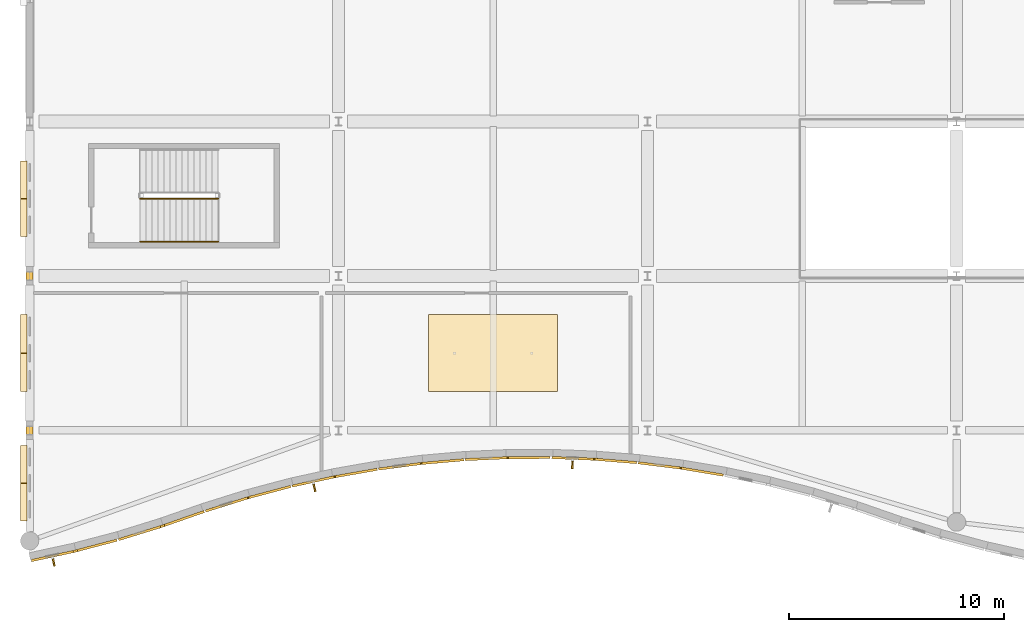
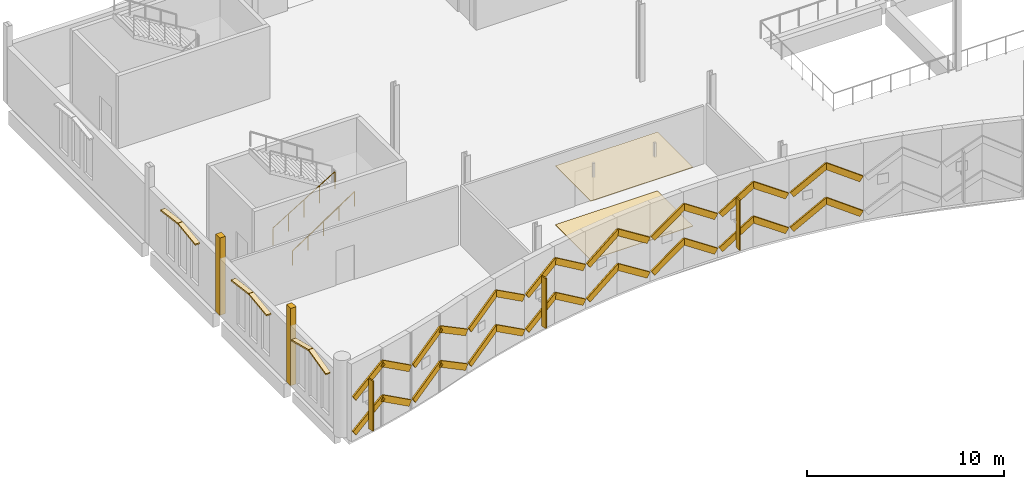
# One storey, part 193 of 220: 42 coverings, 3 shading devices, 2 railings.
"""IFC4 building model written with IfcOpenShell, lengths in metres."""

from ifc_helpers import new_model, si_unit, direction, frame, origin, origin_2d, place, context, subcontext, project, spatial, polyline, rectangle, circle, outline, extrude, material, layer, layer_set, type_object, element, save


model = new_model("IFC4")

# Units and contexts
model_context = context("Model", 3, precision=1e-05, world=origin(), true_north=direction((0.0, 1.0)))
body_context = subcontext(model_context, "Body", "Model", "MODEL_VIEW")
ifc_project = project(units=[si_unit("LENGTHUNIT", "METRE"), si_unit("AREAUNIT", "SQUARE_METRE"), si_unit("VOLUMEUNIT", "CUBIC_METRE"), si_unit("PLANEANGLEUNIT", "RADIAN"), si_unit("MASSUNIT", "GRAM", prefix="KILO")], contexts=[model_context])

# Site, building, storey
site_placement = place(None, origin())
site = spatial("IfcSite", under=ifc_project, at=site_placement, CompositionType="ELEMENT")
building_placement = place(site_placement, origin())
building = spatial("IfcBuilding", under=site, at=building_placement, Name="Cendralis Lancet Convention Centre", CompositionType="ELEMENT")
storey_placement = place(building_placement, frame((0.0, 0.0, 5.39990234375)))
storey = spatial("IfcBuildingStorey", under=building, at=storey_placement, Name="L01", CompositionType="ELEMENT", Elevation=5.39990234375)

# Coverings
ifc_material_1 = material(Name="Warm buff sandstone chevron cassette", Category="masonry")
ifc_layer_1 = layer(ifc_material_1, 0.06005859375, Name="Warm buff sandstone chevron cassette")
ifc_layer_set_1 = layer_set([ifc_layer_1], Name="Warm buff sandstone chevron cassette")
covering_type_1 = type_object("IfcCoveringType", Name="ARC-CV-CLAD1", PredefinedType="CLADDING", material=ifc_layer_set_1)
covering_1_placement = place(storey_placement, frame((0.09521484375, 1.074462890625, 0.650146484375), z_axis=(-0.534264422169, -0.115352545696, 0.837409886141), x_axis=(0.818477390055, 0.177059631031, 0.546575382749)))
element("IfcCovering", 1, at=covering_1_placement, inside=storey, type_object=covering_type_1, Name="L01 Diagonal Stone Chevron Relief CL-ST1 #0001", PredefinedType="CLADDING", context=body_context, shape_type="SweptSolid", body=[
    extrude(outline(polyline([(0.0, 0.0), (2.3785352746506123, -5.095750210681871e-18), (2.3785721119549623, 0.10989717826507894), (3.683730435013327e-05, 0.10989717826507893), (0.0, 0.0)])), origin(), (0.0, 0.0, -1.0), 0.360107421875),
])
covering_2_placement = place(storey_placement, frame((2.130859375, 1.516845703125, 1.9501953125), z_axis=(0.524606171224, 0.137927454891, 0.84009784091), x_axis=(0.81262432803, 0.213087239418, -0.54243481626)))
element("IfcCovering", 2, at=covering_2_placement, inside=storey, type_object=covering_type_1, Name="L01 Diagonal Stone Chevron Relief CL-ST1 #0007", PredefinedType="CLADDING", context=body_context, shape_type="SweptSolid", body=[
    extrude(outline(polyline([(0.0, 0.0), (2.3968165992358967, -1.533603972980746e-16), (2.396631333470113, 0.10984953104359214), (6.51520973630644e-05, 0.11002370531413276), (0.0, 0.0)])), origin(), (0.0, 0.0, -1.0), 0.360107421875),
])
covering_3_placement = place(storey_placement, frame((4.16650390625, 2.052734375, 0.650146484375), z_axis=(-0.513116687183, -0.159304831951, 0.843405736198), x_axis=(0.805718133303, 0.249302453814, 0.537277001359)))
element("IfcCovering", 3, at=covering_3_placement, inside=storey, type_object=covering_type_1, Name="L01 Diagonal Stone Chevron Relief CL-ST1 #0013", PredefinedType="CLADDING", context=body_context, shape_type="SweptSolid", body=[
    extrude(outline(polyline([(0.0, 0.0), (2.419797707072139, 7.686993402922226e-17), (2.419610652696563, 0.10995963308373377), (9.654153062380044e-06, 0.10988740311742318), (0.0, 0.0)])), origin(), (0.0, 0.0, -1.0), 0.360107421875),
])
covering_4_placement = place(storey_placement, frame((6.200927734375, 2.683837890625, 1.9501953125), z_axis=(0.503400481983, 0.174890308294, 0.846168620787), x_axis=(0.799122559196, 0.278216745719, -0.532915169408)))
element("IfcCovering", 4, at=covering_4_placement, inside=storey, type_object=covering_type_1, Name="L01 Diagonal Stone Chevron Relief CL-ST1 #0019", PredefinedType="CLADDING", context=body_context, shape_type="SweptSolid", body=[
    extrude(outline(polyline([(0.0, 0.0), (2.439504264008427, 3.7513395167998453e-17), (2.439565346751399, 0.11010172080089158), (6.10827429723855e-05, 0.11010172080089148), (0.0, 0.0)])), origin(), (0.0, 0.0, -1.0), 0.360107421875),
])
covering_5_placement = place(storey_placement, frame((8.218505859375, 3.385009765625, 0.650146484375), z_axis=(-0.512432144348, -0.160879859272, 0.843522950678), x_axis=(0.804983924834, 0.252055485297, 0.537093020892)))
element("IfcCovering", 5, at=covering_5_placement, inside=storey, type_object=covering_type_1, Name="L01 Diagonal Stone Chevron Relief CL-ST1 #0025", PredefinedType="CLADDING", context=body_context, shape_type="SweptSolid", body=[
    extrude(outline(polyline([(0.0, 0.0), (2.4205282466077915, -1.0072238182390336e-16), (2.420457697004613, 0.11003267011553743), (-7.054960317889533e-05, 0.11003267011553755), (0.0, 0.0)])), origin(), (0.0, 0.0, -1.0), 0.360107421875),
])
covering_6_placement = place(storey_placement, frame((10.232666015625, 4.01416015625, 1.9501953125), z_axis=(0.524033667358, 0.138820845367, 0.840307972334), x_axis=(0.812149151955, 0.215711222203, -0.542109235851)))
element("IfcCovering", 6, at=covering_6_placement, inside=storey, type_object=covering_type_1, Name="L01 Diagonal Stone Chevron Relief CL-ST1 #0031", PredefinedType="CLADDING", context=body_context, shape_type="SweptSolid", body=[
    extrude(outline(polyline([(0.0, 0.0), (2.398229906017896, -1.7564075194265172e-17), (2.3981910366950805, 0.11014825940735083), (0.00015940927873638391, 0.11008563247323438), (0.0, 0.0)])), origin(), (0.0, 0.0, -1.0), 0.360107421875),
])
covering_7_placement = place(storey_placement, frame((12.246826171875, 4.5478515625, 0.650146484375), z_axis=(-0.533420798181, -0.116988879601, 0.837720630113), x_axis=(0.81822789198, 0.179663528864, 0.546099014083)))
element("IfcCovering", 7, at=covering_7_placement, inside=storey, type_object=covering_type_1, Name="L01 Diagonal Stone Chevron Relief CL-ST1 #0037", PredefinedType="CLADDING", context=body_context, shape_type="SweptSolid", body=[
    extrude(outline(polyline([(0.0, 0.0), (2.380709986003062, 9.0015885370609e-17), (2.3806328002555412, 0.11000122332785592), (0.00012257692141973142, 0.10994888071154302), (0.0, 0.0)])), origin(), (0.0, 0.0, -1.0), 0.360107421875),
])
covering_8_placement = place(storey_placement, frame((14.26220703125, 4.989013671875, 1.9501953125), z_axis=(0.54132887114, 0.095205528633, 0.835403471736), x_axis=(0.822864596365, 0.144197422804, -0.549637116019)))
element("IfcCovering", 8, at=covering_8_placement, inside=storey, type_object=covering_type_1, Name="L01 Diagonal Stone Chevron Relief CL-ST1 #0043", PredefinedType="CLADDING", context=body_context, shape_type="SweptSolid", body=[
    extrude(outline(polyline([(0.0, 0.0), (2.365268067548942, 1.588356182691264e-17), (2.365229058078382, 0.11005841291991537), (-7.4213919486487e-05, 0.10981794456539315), (0.0, 0.0)])), origin(), (0.0, 0.0, -1.0), 0.360107421875),
])
covering_9_placement = place(storey_placement, frame((16.276123046875, 5.340576171875, 0.650146484375), z_axis=(-0.547501786097, -0.072346260649, 0.833671285814), x_axis=(0.826583035916, 0.108482543318, 0.552260828351)))
element("IfcCovering", 9, at=covering_9_placement, inside=storey, type_object=covering_type_1, Name="L01 Diagonal Stone Chevron Relief CL-ST1 #0049", PredefinedType="CLADDING", context=body_context, shape_type="SweptSolid", body=[
    extrude(outline(polyline([(0.0, 0.0), (2.3540352655105607, 1.0191500421363742e-17), (2.353967711248907, 0.11007735277893672), (-9.403925758104219e-05, 0.1098352965454656), (0.0, 0.0)])), origin(), (0.0, 0.0, -1.0), 0.360107421875),
])
covering_10_placement = place(storey_placement, frame((18.290283203125, 5.603515625, 1.9501953125), z_axis=(0.551959934038, 0.049172377197, 0.83241955079), x_axis=(0.829189448705, 0.07326171836, -0.554145810035)))
element("IfcCovering", 10, at=covering_10_placement, inside=storey, type_object=covering_type_1, Name="L01 Diagonal Stone Chevron Relief CL-ST1 #0055", PredefinedType="CLADDING", context=body_context, shape_type="SweptSolid", body=[
    extrude(outline(polyline([(0.0, 0.0), (2.3460410682233244, -1.4040418133687282e-17), (2.345974401620591, 0.11005325519296659), (-6.666660273303357e-05, 0.11005325519296662), (0.0, 0.0)])), origin(), (0.0, 0.0, -1.0), 0.360107421875),
])
covering_11_placement = place(storey_placement, frame((20.303955078125, 5.780029296875, 0.650146484375), z_axis=(-0.554551451117, -0.024646731161, 0.831784363105), x_axis=(0.830928034886, 0.037736287621, 0.55509870603)))
element("IfcCovering", 11, at=covering_11_placement, inside=storey, type_object=covering_type_1, Name="L01 Diagonal Stone Chevron Relief CL-ST1 #0061", PredefinedType="CLADDING", context=body_context, shape_type="SweptSolid", body=[
    extrude(outline(polyline([(0.0, 0.0), (2.3420137968284065, -2.168404344971009e-19), (2.3421023634133253, 0.10997169899972807), (8.856658491903681e-05, 0.10997169899972807), (0.0, 0.0)])), origin(), (0.0, 0.0, -1.0), 0.360107421875),
])
covering_12_placement = place(storey_placement, frame((22.319091796875, 5.8701171875, 1.9501953125), z_axis=(0.555705344938, 0.001848243941, 0.831377263101), x_axis=(0.83137100905, 0.003235303625, -0.555708357074)))
element("IfcCovering", 12, at=covering_12_placement, inside=storey, type_object=covering_type_1, Name="L01 Diagonal Stone Chevron Relief CL-ST1 #0067", PredefinedType="CLADDING", context=body_context, shape_type="SweptSolid", body=[
    extrude(outline(polyline([(0.0, 0.0), (2.339342957500622, -2.4936649967166602e-18), (2.3394962170040134, 0.11010756498317643), (-4.971193436520963e-05, 0.11010847241542183), (0.0, 0.0)])), origin(), (0.0, 0.0, -1.0), 0.360107421875),
])
covering_13_placement = place(storey_placement, frame((24.33251953125, 5.876708984375, 0.650146484375), z_axis=(-0.554951138178, 0.022198045527, 0.831586724888), x_axis=(0.830953976238, -0.032437139025, 0.555394743751)))
element("IfcCovering", 13, at=covering_13_placement, inside=storey, type_object=covering_type_1, Name="L01 Diagonal Stone Chevron Relief CL-ST1 #0073", PredefinedType="CLADDING", context=body_context, shape_type="SweptSolid", body=[
    extrude(outline(polyline([(0.0, 0.0), (2.3407654515132994, -1.1384122811097797e-17), (2.34085345420157, 0.10995110152904647), (8.80026882704439e-05, 0.10995110152904647), (0.0, 0.0)])), origin(), (0.0, 0.0, -1.0), 0.360107421875),
])
covering_14_placement = place(storey_placement, frame((26.346435546875, 5.796630859375, 1.9501953125), z_axis=(0.552585910248, -0.0449206809, 0.832244521894), x_axis=(0.829531137525, -0.067149540696, -0.554408722029)))
element("IfcCovering", 14, at=covering_14_placement, inside=storey, type_object=covering_type_1, Name="L01 Diagonal Stone Chevron Relief CL-ST1 #0079", PredefinedType="CLADDING", context=body_context, shape_type="SweptSolid", body=[
    extrude(outline(polyline([(0.0, 0.0), (2.3450297857293902, -4.174178364069192e-18), (2.3449597117983223, 0.10997087864770992), (0.00013244831930383193, 0.10999060258684137), (0.0, 0.0)])), origin(), (0.0, 0.0, -1.0), 0.360107421875),
])
covering_15_placement = place(storey_placement, frame((28.360107421875, 5.632080078125, 0.650146484375), z_axis=(-0.548525685574, 0.067491974735, 0.833405306926), x_axis=(0.827073125683, -0.10254087692, 0.552662114979)))
element("IfcCovering", 15, at=covering_15_placement, inside=storey, type_object=covering_type_1, Name="L01 Diagonal Stone Chevron Relief CL-ST1 #0085", PredefinedType="CLADDING", context=body_context, shape_type="SweptSolid", body=[
    extrude(outline(polyline([(0.0, 0.0), (2.3523393279369476, 3.686287386450715e-17), (2.3522546721579833, 0.10995381463037417), (-8.46557789641808e-05, 0.10995381463037412), (0.0, 0.0)])), origin(), (0.0, 0.0, -1.0), 0.360107421875),
])
covering_16_placement = place(storey_placement, frame((30.373779296875, 5.381103515625, 1.9501953125), z_axis=(0.542412257957, -0.090910490929, 0.835179157461), x_axis=(0.823717737844, -0.137888802607, -0.549977969084)))
element("IfcCovering", 16, at=covering_16_placement, inside=storey, type_object=covering_type_1, Name="L01 Diagonal Stone Chevron Relief CL-ST1 #0091", PredefinedType="CLADDING", context=body_context, shape_type="SweptSolid", body=[
    extrude(outline(polyline([(0.0, 0.0), (2.363736131873474, 4.50079426853045e-17), (2.36383825911422, 0.11017473594647724), (-6.531146414592501e-05, 0.10989362576594278), (0.0, 0.0)])), origin(), (0.0, 0.0, -1.0), 0.360107421875),
])
for number, where, z_axis, x_axis, name in (
    (17, (-0.419921875, 2.97509765625, 3.27001953125), (0.0, -0.241261177091, 0.970460223002), (1.0, 0.0, 0.0), "L01 Gothic Pointed Lancet Hood-Mould #0251L"),
    (18, (-0.419921875, 4.7451171875, 3.705078125), (0.0, 0.241261177091, 0.970460223002), (1.0, 0.0, 0.0), "L01 Gothic Pointed Lancet Hood-Mould #0252R"),
):
    element("IfcCovering", number, at=place(storey_placement, frame(where, z_axis=z_axis, x_axis=x_axis)), inside=storey, type_object=covering_type_1, Name=name, PredefinedType="CLADDING", context=body_context, shape_type="SweptSolid", body=[
        extrude(outline(polyline([(0.0, 0.0), (0.284912109375, 0.0), (0.284912109375, 1.803268138684796), (0.0, 1.803268138684796), (0.0, 0.0)])), origin(), (0.0, 0.0, -1.0), 0.090087890625),
    ])
for number, where, z_axis, x_axis, name in (
    (19, (-0.419921875, 9.0, 3.27001953125), (0.0, -0.130223638093, 0.991484646418), (1.0, 0.0, 0.0), "L01 Gothic Pointed Lancet Hood-Mould #0253L"),
    (20, (-0.419921875, 10.81005859375, 3.505126953125), (0.0, 0.130223638093, 0.991484646418), (1.0, 0.0, 0.0), "L01 Gothic Pointed Lancet Hood-Mould #0254R"),
):
    element("IfcCovering", number, at=place(storey_placement, frame(where, z_axis=z_axis, x_axis=x_axis)), inside=storey, type_object=covering_type_1, Name=name, PredefinedType="CLADDING", context=body_context, shape_type="SweptSolid", body=[
        extrude(outline(polyline([(0.0, 0.0), (0.284912109375, 0.0), (0.284912109375, 1.805412790775724), (0.0, 1.805412790775724), (0.0, 0.0)])), origin(), (0.0, 0.0, -1.0), 0.090087890625),
    ])
for number, where, z_axis, x_axis, name in (
    (21, (-0.419921875, 16.239990234375, 3.27001953125), (0.0, -0.133150842636, 0.991095784022), (1.0, 0.0, 0.0), "L01 Gothic Pointed Lancet Hood-Mould #0255L"),
    (22, (-0.419921875, 18.010009765625, 3.505126953125), (0.0, 0.133150842636, 0.991095784022), (1.0, 0.0, 0.0), "L01 Gothic Pointed Lancet Hood-Mould #0256R"),
):
    element("IfcCovering", number, at=place(storey_placement, frame(where, z_axis=z_axis, x_axis=x_axis)), inside=storey, type_object=covering_type_1, Name=name, PredefinedType="CLADDING", context=body_context, shape_type="SweptSolid", body=[
        extrude(outline(polyline([(0.0, 0.0), (0.284912109375, 0.0), (0.284912109375, 1.7657223733703749), (0.0, 1.7657223733703749), (0.0, 0.0)])), origin(), (0.0, 0.0, -1.0), 0.090087890625),
    ])
covering_17_placement = place(storey_placement, origin())
element("IfcCovering", 23, at=covering_17_placement, inside=storey, type_object=covering_type_1, Name="Exterior Column Stone Fire-Casing L01 #001", PredefinedType="CLADDING", context=body_context, shape_type="SweptSolid", body=[
    extrude(outline(polyline([(-0.162109375, 6.988037109375), (0.162109375, 6.988037109375), (0.162109375, 7.412109375), (-0.162109375, 7.412109375), (-0.162109375, 6.988037109375)])), origin(), (0.0, 0.0, 1.0), 4.800048828125),
])
covering_18_placement = place(storey_placement, origin())
element("IfcCovering", 24, at=covering_18_placement, inside=storey, type_object=covering_type_1, Name="Exterior Column Stone Fire-Casing L01 #002", PredefinedType="CLADDING", context=body_context, shape_type="SweptSolid", body=[
    extrude(outline(polyline([(-0.162109375, 14.18798828125), (0.162109375, 14.18798828125), (0.162109375, 14.612060546875), (-0.162109375, 14.612060546875), (-0.162109375, 14.18798828125)])), origin(), (0.0, 0.0, 1.0), 4.800048828125),
])
ifc_material_2 = material(Name="Dark Andean slate chevron cassette", Category="masonry")
ifc_layer_2 = layer(ifc_material_2, 0.06005859375, Name="Dark Andean slate chevron cassette")
ifc_layer_set_2 = layer_set([ifc_layer_2], Name="Dark Andean slate chevron cassette")
covering_type_2 = type_object("IfcCoveringType", Name="ARC-CV-CLAD2", PredefinedType="CLADDING", material=ifc_layer_set_2)
covering_19_placement = place(storey_placement, frame((0.09521484375, 1.074462890625, 2.800048828125), z_axis=(-0.534264422169, -0.115352545696, 0.837409886141), x_axis=(0.818477390055, 0.177059631031, 0.546575382749)))
element("IfcCovering", 25, at=covering_19_placement, inside=storey, type_object=covering_type_2, Name="L01 Diagonal Stone Chevron Relief CL-ST2 #0002", PredefinedType="CLADDING", context=body_context, shape_type="SweptSolid", body=[
    extrude(outline(polyline([(0.0, 0.0), (2.3785352746506123, -5.095750210681871e-18), (2.3785721119549623, 0.10989717826507894), (3.683730435013327e-05, 0.10989717826507893), (0.0, 0.0)])), origin(), (0.0, 0.0, -1.0), 0.360107421875),
])
covering_20_placement = place(storey_placement, frame((2.130859375, 1.516845703125, 4.10009765625), z_axis=(0.524606171224, 0.137927454891, 0.84009784091), x_axis=(0.81262432803, 0.213087239418, -0.54243481626)))
element("IfcCovering", 26, at=covering_20_placement, inside=storey, type_object=covering_type_2, Name="L01 Diagonal Stone Chevron Relief CL-ST2 #0008", PredefinedType="CLADDING", context=body_context, shape_type="SweptSolid", body=[
    extrude(outline(polyline([(0.0, 0.0), (2.3968165992358967, -1.533603972980746e-16), (2.396631333470113, 0.10984953104359214), (6.51520973630644e-05, 0.11002370531413276), (0.0, 0.0)])), origin(), (0.0, 0.0, -1.0), 0.360107421875),
])
covering_21_placement = place(storey_placement, frame((4.16650390625, 2.052734375, 2.800048828125), z_axis=(-0.513116687183, -0.159304831951, 0.843405736198), x_axis=(0.805718133303, 0.249302453814, 0.537277001359)))
element("IfcCovering", 27, at=covering_21_placement, inside=storey, type_object=covering_type_2, Name="L01 Diagonal Stone Chevron Relief CL-ST2 #0014", PredefinedType="CLADDING", context=body_context, shape_type="SweptSolid", body=[
    extrude(outline(polyline([(0.0, 0.0), (2.419797707072139, 7.686993402922226e-17), (2.419610652696563, 0.10995963308373377), (9.654153062380044e-06, 0.10988740311742318), (0.0, 0.0)])), origin(), (0.0, 0.0, -1.0), 0.360107421875),
])
covering_22_placement = place(storey_placement, frame((6.200927734375, 2.683837890625, 4.10009765625), z_axis=(0.503400481983, 0.174890308294, 0.846168620787), x_axis=(0.799122559196, 0.278216745719, -0.532915169408)))
element("IfcCovering", 28, at=covering_22_placement, inside=storey, type_object=covering_type_2, Name="L01 Diagonal Stone Chevron Relief CL-ST2 #0020", PredefinedType="CLADDING", context=body_context, shape_type="SweptSolid", body=[
    extrude(outline(polyline([(0.0, 0.0), (2.439504264008427, 3.7513395167998453e-17), (2.439565346751399, 0.11010172080089158), (6.10827429723855e-05, 0.11010172080089148), (0.0, 0.0)])), origin(), (0.0, 0.0, -1.0), 0.360107421875),
])
covering_23_placement = place(storey_placement, frame((8.218505859375, 3.385009765625, 2.800048828125), z_axis=(-0.512432144348, -0.160879859272, 0.843522950678), x_axis=(0.804983924834, 0.252055485297, 0.537093020892)))
element("IfcCovering", 29, at=covering_23_placement, inside=storey, type_object=covering_type_2, Name="L01 Diagonal Stone Chevron Relief CL-ST2 #0026", PredefinedType="CLADDING", context=body_context, shape_type="SweptSolid", body=[
    extrude(outline(polyline([(0.0, 0.0), (2.4205282466077915, -1.0072238182390336e-16), (2.420457697004613, 0.11003267011553743), (-7.054960317889533e-05, 0.11003267011553755), (0.0, 0.0)])), origin(), (0.0, 0.0, -1.0), 0.360107421875),
])
covering_24_placement = place(storey_placement, frame((10.232666015625, 4.01416015625, 4.10009765625), z_axis=(0.524033667358, 0.138820845367, 0.840307972334), x_axis=(0.812149151955, 0.215711222203, -0.542109235851)))
element("IfcCovering", 30, at=covering_24_placement, inside=storey, type_object=covering_type_2, Name="L01 Diagonal Stone Chevron Relief CL-ST2 #0032", PredefinedType="CLADDING", context=body_context, shape_type="SweptSolid", body=[
    extrude(outline(polyline([(0.0, 0.0), (2.398229906017896, -1.7564075194265172e-17), (2.3981910366950805, 0.11014825940735083), (0.00015940927873638391, 0.11008563247323438), (0.0, 0.0)])), origin(), (0.0, 0.0, -1.0), 0.360107421875),
])
covering_25_placement = place(storey_placement, frame((12.246826171875, 4.5478515625, 2.800048828125), z_axis=(-0.533420798181, -0.116988879601, 0.837720630113), x_axis=(0.81822789198, 0.179663528864, 0.546099014083)))
element("IfcCovering", 31, at=covering_25_placement, inside=storey, type_object=covering_type_2, Name="L01 Diagonal Stone Chevron Relief CL-ST2 #0038", PredefinedType="CLADDING", context=body_context, shape_type="SweptSolid", body=[
    extrude(outline(polyline([(0.0, 0.0), (2.380709986003062, 9.0015885370609e-17), (2.3806328002555412, 0.11000122332785592), (0.00012257692141973142, 0.10994888071154302), (0.0, 0.0)])), origin(), (0.0, 0.0, -1.0), 0.360107421875),
])
covering_26_placement = place(storey_placement, frame((14.26220703125, 4.989013671875, 4.10009765625), z_axis=(0.54132887114, 0.095205528633, 0.835403471736), x_axis=(0.822864596365, 0.144197422804, -0.549637116019)))
element("IfcCovering", 32, at=covering_26_placement, inside=storey, type_object=covering_type_2, Name="L01 Diagonal Stone Chevron Relief CL-ST2 #0044", PredefinedType="CLADDING", context=body_context, shape_type="SweptSolid", body=[
    extrude(outline(polyline([(0.0, 0.0), (2.365268067548942, 1.588356182691264e-17), (2.365229058078382, 0.11005841291991537), (-7.4213919486487e-05, 0.10981794456539315), (0.0, 0.0)])), origin(), (0.0, 0.0, -1.0), 0.360107421875),
])
covering_27_placement = place(storey_placement, frame((16.276123046875, 5.340576171875, 2.800048828125), z_axis=(-0.547501786097, -0.072346260649, 0.833671285814), x_axis=(0.826583035916, 0.108482543318, 0.552260828351)))
element("IfcCovering", 33, at=covering_27_placement, inside=storey, type_object=covering_type_2, Name="L01 Diagonal Stone Chevron Relief CL-ST2 #0050", PredefinedType="CLADDING", context=body_context, shape_type="SweptSolid", body=[
    extrude(outline(polyline([(0.0, 0.0), (2.3540352655105607, 1.0191500421363742e-17), (2.353967711248907, 0.11007735277893672), (-9.403925758104219e-05, 0.1098352965454656), (0.0, 0.0)])), origin(), (0.0, 0.0, -1.0), 0.360107421875),
])
covering_28_placement = place(storey_placement, frame((18.290283203125, 5.603515625, 4.10009765625), z_axis=(0.551959934038, 0.049172377197, 0.83241955079), x_axis=(0.829189448705, 0.07326171836, -0.554145810035)))
element("IfcCovering", 34, at=covering_28_placement, inside=storey, type_object=covering_type_2, Name="L01 Diagonal Stone Chevron Relief CL-ST2 #0056", PredefinedType="CLADDING", context=body_context, shape_type="SweptSolid", body=[
    extrude(outline(polyline([(0.0, 0.0), (2.3460410682233244, -1.4040418133687282e-17), (2.345974401620591, 0.11005325519296659), (-6.666660273303357e-05, 0.11005325519296662), (0.0, 0.0)])), origin(), (0.0, 0.0, -1.0), 0.360107421875),
])
covering_29_placement = place(storey_placement, frame((20.303955078125, 5.780029296875, 2.800048828125), z_axis=(-0.554551451117, -0.024646731161, 0.831784363105), x_axis=(0.830928034886, 0.037736287621, 0.55509870603)))
element("IfcCovering", 35, at=covering_29_placement, inside=storey, type_object=covering_type_2, Name="L01 Diagonal Stone Chevron Relief CL-ST2 #0062", PredefinedType="CLADDING", context=body_context, shape_type="SweptSolid", body=[
    extrude(outline(polyline([(0.0, 0.0), (2.3420137968284065, -2.168404344971009e-19), (2.3421023634133253, 0.10997169899972807), (8.856658491903681e-05, 0.10997169899972807), (0.0, 0.0)])), origin(), (0.0, 0.0, -1.0), 0.360107421875),
])
covering_30_placement = place(storey_placement, frame((22.319091796875, 5.8701171875, 4.10009765625), z_axis=(0.555705344938, 0.001848243941, 0.831377263101), x_axis=(0.83137100905, 0.003235303625, -0.555708357074)))
element("IfcCovering", 36, at=covering_30_placement, inside=storey, type_object=covering_type_2, Name="L01 Diagonal Stone Chevron Relief CL-ST2 #0068", PredefinedType="CLADDING", context=body_context, shape_type="SweptSolid", body=[
    extrude(outline(polyline([(0.0, 0.0), (2.339342957500622, -2.4936649967166602e-18), (2.3394962170040134, 0.11010756498317643), (-4.971193436520963e-05, 0.11010847241542183), (0.0, 0.0)])), origin(), (0.0, 0.0, -1.0), 0.360107421875),
])
covering_31_placement = place(storey_placement, frame((24.33251953125, 5.876708984375, 2.800048828125), z_axis=(-0.554951138178, 0.022198045527, 0.831586724888), x_axis=(0.830953976238, -0.032437139025, 0.555394743751)))
element("IfcCovering", 37, at=covering_31_placement, inside=storey, type_object=covering_type_2, Name="L01 Diagonal Stone Chevron Relief CL-ST2 #0074", PredefinedType="CLADDING", context=body_context, shape_type="SweptSolid", body=[
    extrude(outline(polyline([(0.0, 0.0), (2.3407654515132994, -1.1384122811097797e-17), (2.34085345420157, 0.10995110152904647), (8.80026882704439e-05, 0.10995110152904647), (0.0, 0.0)])), origin(), (0.0, 0.0, -1.0), 0.360107421875),
])
covering_32_placement = place(storey_placement, frame((26.346435546875, 5.796630859375, 4.10009765625), z_axis=(0.552585910248, -0.0449206809, 0.832244521894), x_axis=(0.829531137525, -0.067149540696, -0.554408722029)))
element("IfcCovering", 38, at=covering_32_placement, inside=storey, type_object=covering_type_2, Name="L01 Diagonal Stone Chevron Relief CL-ST2 #0080", PredefinedType="CLADDING", context=body_context, shape_type="SweptSolid", body=[
    extrude(outline(polyline([(0.0, 0.0), (2.3450297857293902, -4.174178364069192e-18), (2.3449597117983223, 0.10997087864770992), (0.00013244831930383193, 0.10999060258684137), (0.0, 0.0)])), origin(), (0.0, 0.0, -1.0), 0.360107421875),
])
covering_33_placement = place(storey_placement, frame((28.360107421875, 5.632080078125, 2.800048828125), z_axis=(-0.548525685574, 0.067491974735, 0.833405306926), x_axis=(0.827073125683, -0.10254087692, 0.552662114979)))
element("IfcCovering", 39, at=covering_33_placement, inside=storey, type_object=covering_type_2, Name="L01 Diagonal Stone Chevron Relief CL-ST2 #0086", PredefinedType="CLADDING", context=body_context, shape_type="SweptSolid", body=[
    extrude(outline(polyline([(0.0, 0.0), (2.3523393279369476, 3.686287386450715e-17), (2.3522546721579833, 0.10995381463037417), (-8.46557789641808e-05, 0.10995381463037412), (0.0, 0.0)])), origin(), (0.0, 0.0, -1.0), 0.360107421875),
])
covering_34_placement = place(storey_placement, frame((30.373779296875, 5.381103515625, 4.10009765625), z_axis=(0.542412257957, -0.090910490929, 0.835179157461), x_axis=(0.823717737844, -0.137888802607, -0.549977969084)))
element("IfcCovering", 40, at=covering_34_placement, inside=storey, type_object=covering_type_2, Name="L01 Diagonal Stone Chevron Relief CL-ST2 #0092", PredefinedType="CLADDING", context=body_context, shape_type="SweptSolid", body=[
    extrude(outline(polyline([(0.0, 0.0), (2.363736131873474, 4.50079426853045e-17), (2.36383825911422, 0.11017473594647724), (-6.531146414592501e-05, 0.10989362576594278), (0.0, 0.0)])), origin(), (0.0, 0.0, -1.0), 0.360107421875),
])
ifc_material_3 = material(Name="Perforated acoustic mineral-wood ceiling", Category="wood")
ifc_layer_3 = layer(ifc_material_3, 0.030029296875, Name="Perforated acoustic mineral-wood ceiling")
ifc_layer_set_3 = layer_set([ifc_layer_3], Name="Perforated acoustic mineral-wood ceiling")
covering_type_3 = type_object("IfcCoveringType", Name="ARC-CV-CLG1", PredefinedType="CEILING", material=ifc_layer_set_3)
covering_35_placement = place(storey_placement, frame((0.0, 0.0, 3.650146484375)))
element("IfcCovering", 41, at=covering_35_placement, inside=storey, type_object=covering_type_3, Name="L01 Acoustic Suspended Ceiling CL-ACS #05", PredefinedType="CEILING", context=body_context, shape_type="SweptSolid", body=[
    extrude(outline(polyline([(18.60009765625, 9.0), (24.60009765625, 9.0), (24.60009765625, 12.60009765625), (18.60009765625, 12.60009765625), (18.60009765625, 9.0)])), origin(), (0.0, 0.0, 1.0), 0.030029296875),
])
ifc_material_4 = material(Name="Polished Andean granite terrazzo flooring", Category="masonry")
ifc_layer_4 = layer(ifc_material_4, 0.030029296875, Name="Polished Andean granite terrazzo flooring")
ifc_layer_set_4 = layer_set([ifc_layer_4], Name="Polished Andean granite terrazzo flooring")
covering_type_4 = type_object("IfcCoveringType", Name="ARC-CV-FLR1", PredefinedType="FLOORING", material=ifc_layer_set_4)
covering_36_placement = place(storey_placement, origin())
element("IfcCovering", 42, at=covering_36_placement, inside=storey, type_object=covering_type_4, Name="L01 Terrazzo Concourse Flooring FL-TRZ #05", PredefinedType="FLOORING", context=body_context, shape_type="SweptSolid", body=[
    extrude(outline(polyline([(18.60009765625, 9.0), (24.60009765625, 9.0), (24.60009765625, 12.60009765625), (18.60009765625, 12.60009765625), (18.60009765625, 9.0)])), origin(), (0.0, 0.0, 1.0), 0.030029296875),
])

# Railings
ifc_material_5 = material(Name="Steel S355", Category="steel")
railing_type_1 = type_object("IfcRailingType", Name="ARC-RL-CGD", PredefinedType="GUARDRAIL", material=ifc_material_5)
railing_1_placement = place(storey_placement, frame((5.14990234375, 18.0, 0.171630859375)))
element("IfcRailing", 43, at=railing_1_placement, inside=storey, type_object=railing_type_1, Name="L01 ST-17 stair guard 1", PredefinedType="GUARDRAIL", context=body_context, shape_type="SweptSolid", body=[
    extrude(circle(Radius=0.02392578125, at=origin_2d()), frame((0.0, 0.0, 1.076171875), z_axis=(0.852865859571, 0.0, 0.52213008492), x_axis=(0.0, 1.0, 0.0)), (0.0, 0.0, 1.0), 4.26806640625),
    extrude(circle(Radius=0.02099609375, at=origin_2d()), origin(), (0.0, 0.0, 1.0), 1.052001953125),
    extrude(circle(Radius=0.02099609375, at=origin_2d()), frame((0.91015625, 0.0, 0.55712890625)), (0.0, 0.0, 1.0), 1.052001953125),
    extrude(circle(Radius=0.02099609375, at=origin_2d()), frame((1.820068359375, 0.0, 1.1142578125)), (0.0, 0.0, 1.0), 1.052001953125),
    extrude(circle(Radius=0.02099609375, at=origin_2d()), frame((2.72998046875, 0.0, 1.67138671875)), (0.0, 0.0, 1.0), 1.052001953125),
    extrude(circle(Radius=0.02099609375, at=origin_2d()), frame((3.64013671875, 0.0, 2.228515625)), (0.0, 0.0, 1.0), 1.052001953125),
])
railing_type_2 = type_object("IfcRailingType", Name="ARC-RL-CHR", PredefinedType="HANDRAIL", material=ifc_material_5)
railing_2_placement = place(storey_placement, frame((5.14990234375, 16.0, 0.171630859375)))
element("IfcRailing", 44, at=railing_2_placement, inside=storey, type_object=railing_type_2, Name="L01 ST-17 stair handrail 1", PredefinedType="HANDRAIL", context=body_context, shape_type="SweptSolid", body=[
    extrude(circle(Radius=0.02392578125, at=origin_2d()), frame((0.0, 0.0, 0.8759765625), z_axis=(0.83488217925, 0.0, 0.55042869363), x_axis=(0.0, 1.0, 0.0)), (0.0, 0.0, 1.0), 4.360107421875),
    extrude(circle(Radius=0.02099609375, at=origin_2d()), origin(), (0.0, 0.0, 1.0), 0.851806640625),
    extrude(circle(Radius=0.02099609375, at=origin_2d()), frame((0.91015625, 0.0, 0.60009765625)), (0.0, 0.0, 1.0), 0.851806640625),
    extrude(circle(Radius=0.02099609375, at=origin_2d()), frame((1.820068359375, 0.0, 1.199951171875)), (0.0, 0.0, 1.0), 0.851806640625),
    extrude(circle(Radius=0.02099609375, at=origin_2d()), frame((2.72998046875, 0.0, 1.7998046875)), (0.0, 0.0, 1.0), 0.851806640625),
    extrude(circle(Radius=0.02099609375, at=origin_2d()), frame((3.64013671875, 0.0, 2.39990234375)), (0.0, 0.0, 1.0), 0.851806640625),
])

# Shading devices
ifc_material_6 = material(Name="Anodised bronze architectural aluminium", Category="aluminium")
shading_device_type = type_object("IfcShadingDeviceType", Name="ARC-SH-FIN1", PredefinedType="USERDEFINED", material=ifc_material_6)
for number, where, z_axis, x_axis, name in (
    (45, (1.122314453125, 1.035888671875, 0.449951171875), (0.0, 0.0, 1.0), (0.977397448997, 0.211410091278, 0.0), "Anodised Bronze Lancet Solar Fin SF-01 #001"),
    (46, (13.275634765625, 4.5126953125, 0.449951171875), (0.0, 0.0, 1.0), (0.976717230975, 0.214530768695, 0.0), "Anodised Bronze Lancet Solar Fin SF-01 #003"),
    (47, (25.295166015625, 5.583984375, 0.449951171875), (0.0, 0.0, 1.0), (0.999239960688, -0.038980776845, 0.0), "Anodised Bronze Lancet Solar Fin SF-01 #005"),
):
    element("IfcShadingDevice", number, at=place(storey_placement, frame(where, z_axis=z_axis, x_axis=x_axis)), inside=storey, type_object=shading_device_type, Name=name, ObjectType="FIN", PredefinedType="USERDEFINED", context=body_context, shape_type="SweptSolid", body=[
        extrude(rectangle(XDim=0.080078125, YDim=0.340087890625, at=origin_2d()), origin(), (0.0, 0.0, 1.0), 3.10009765625),
    ])

save(model, "model.ifc")
